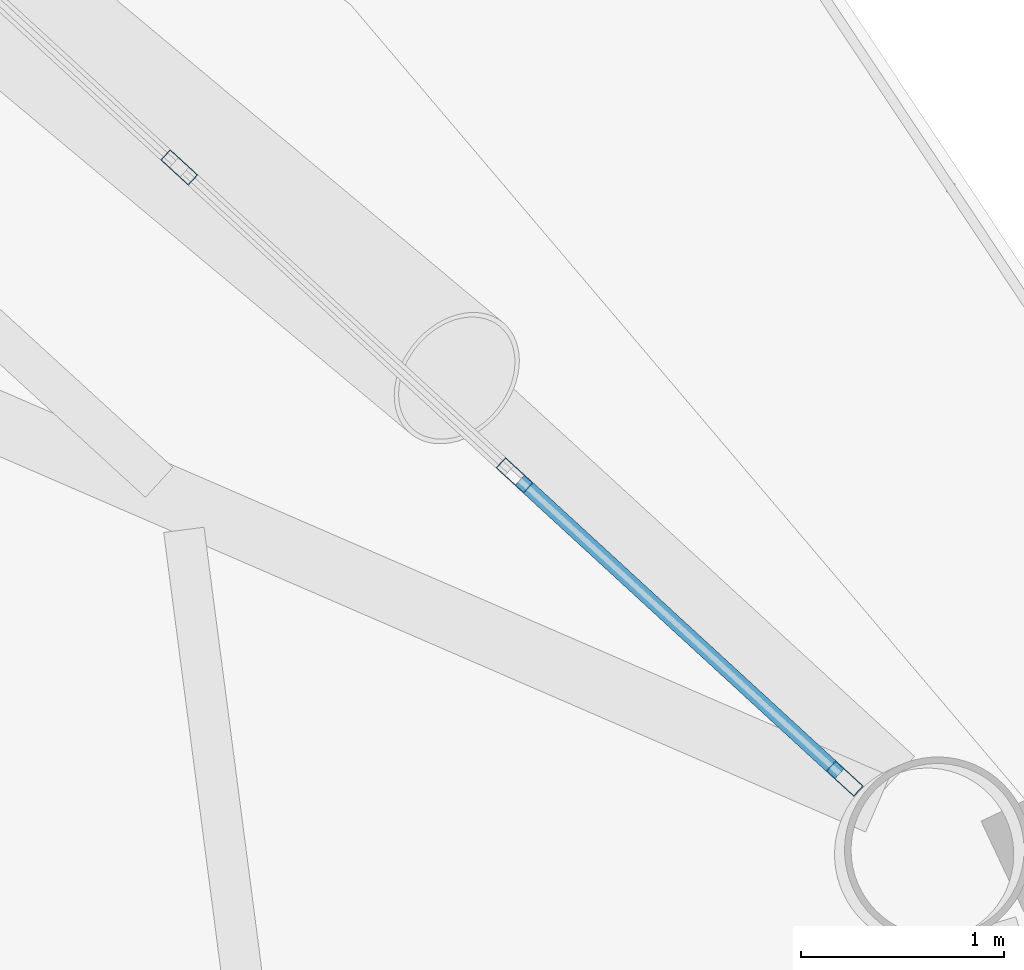
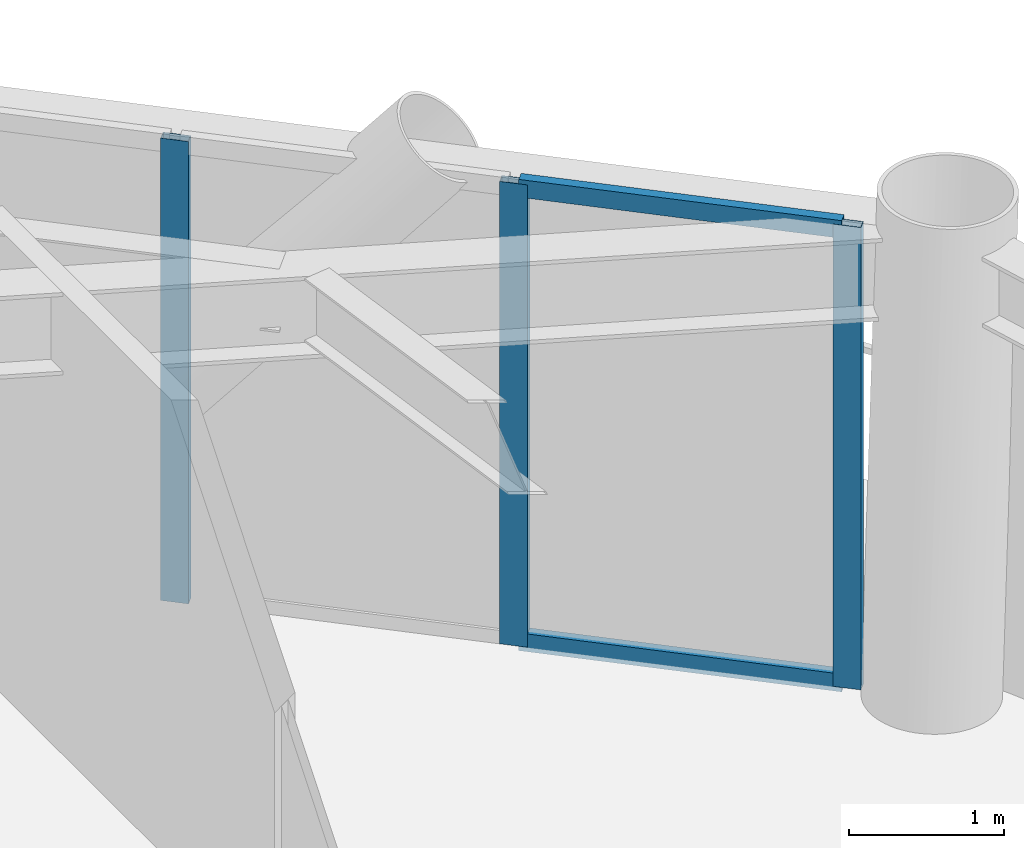
# One storey, part 15 of 23: 5 members, 1 element without a shape of its own.
"""IFC4 building model written with IfcOpenShell, lengths in metres."""

from ifc_helpers import new_model, si_unit, direction, frame, origin, origin_2d, place, context, subcontext, project, spatial, hollow_rectangle, extrude, material, layer, layer_set, material_profile, profile_set, type_object, element, aggregate, save


model = new_model("IFC4")

# Units and contexts
model_context = context("Model", 3, precision=1e-05, world=origin(), true_north=direction((0.0, 1.0)))
body_context = subcontext(model_context, "Body", "Model", "MODEL_VIEW")
ifc_project = project(units=[si_unit("LENGTHUNIT", "METRE"), si_unit("AREAUNIT", "SQUARE_METRE"), si_unit("VOLUMEUNIT", "CUBIC_METRE"), si_unit("PLANEANGLEUNIT", "RADIAN"), si_unit("MASSUNIT", "GRAM", prefix="KILO")], contexts=[model_context])

# Site, building, storey
site_placement = place(None, origin())
site = spatial("IfcSite", under=ifc_project, at=site_placement, CompositionType="ELEMENT")
building_placement = place(site_placement, origin())
building = spatial("IfcBuilding", under=site, at=building_placement, Name="Varnakorn Sky Granary", CompositionType="ELEMENT")
storey_placement = place(building_placement, frame((0.0, 0.0, 31.5)))
storey = spatial("IfcBuildingStorey", under=building, at=storey_placement, Name="L07", CompositionType="ELEMENT", Elevation=31.5)

# Curtain wall, members
ifc_material = material(Name="Anodised Bronze Aluminium Alloy 6063-T6", Category="aluminium")
ifc_layer = layer(ifc_material, 0.18994140625, Name="Anodised Bronze Aluminium Alloy 6063-T6")
ifc_layer_set = layer_set([ifc_layer], Name="Anodised Bronze Aluminium Alloy 6063-T6")
curtain_wall_type = type_object("IfcCurtainWallType", Name="CW-FRM-1", PredefinedType="USERDEFINED", material=ifc_layer_set)
curtain_wall_placement = place(storey_placement, origin())
curtain_wall = element("IfcCurtainWall", 1, at=curtain_wall_placement, inside=storey, type_object=curtain_wall_type, Name="Unitised Curtain Wall CW3 CW-L07-B02", ObjectType="CURTAIN WALL", PredefinedType="USERDEFINED")
ifc_material_profile_1 = material_profile(ifc_material, hollow_rectangle(XDim=0.070068359375, YDim=0.18505859375, WallThickness=0.00390625, at=origin_2d()), Name="ALU MULL 70x185")
ifc_profile_set_1 = profile_set([ifc_material_profile_1], Name="Anodised Bronze Aluminium Alloy 6063-T6")
member_type_1 = type_object("IfcMemberType", Name="CW-FRM-1-MULL", PredefinedType="MULLION", material=ifc_profile_set_1)
member_1_placement = place(storey_placement, frame((12.230712890625, 12.609130859375, 0.0), z_axis=(0.0, 0.0, 1.0), x_axis=(0.676386704621, 0.736546689499, 0.0)))
member_1 = element("IfcMember", 2, at=member_1_placement, type_object=member_type_1, Name="CW3 mullion 3", PredefinedType="MULLION", context=body_context, shape_type="SweptSolid", body=[
    extrude(hollow_rectangle(XDim=0.070068359375, YDim=0.18505859375, WallThickness=0.00390625, at=origin_2d()), origin(), (0.0, 0.0, 1.0), 3.639892578125),
])
member_2_placement = place(storey_placement, frame((13.879638671875, 11.0947265625, 0.0), z_axis=(0.0, 0.0, 1.0), x_axis=(0.676386704621, 0.736546689499, 0.0)))
member_2 = element("IfcMember", 3, at=member_2_placement, type_object=member_type_1, Name="CW3 mullion 4", PredefinedType="MULLION", context=body_context, shape_type="SweptSolid", body=[
    extrude(hollow_rectangle(XDim=0.070068359375, YDim=0.18505859375, WallThickness=0.00390625, at=origin_2d()), origin(), (0.0, 0.0, 1.0), 3.639892578125),
])
member_3_placement = place(storey_placement, frame((15.503173828125, 9.603759765625, 0.0), z_axis=(0.0, 0.0, 1.0), x_axis=(0.676386704621, 0.736546689499, 0.0)))
member_3 = element("IfcMember", 4, at=member_3_placement, type_object=member_type_1, Name="CW3 mullion 5", PredefinedType="MULLION", context=body_context, shape_type="SweptSolid", body=[
    extrude(hollow_rectangle(XDim=0.070068359375, YDim=0.18505859375, WallThickness=0.00390625, at=origin_2d()), origin(), (0.0, 0.0, 1.0), 3.639892578125),
])
ifc_material_profile_2 = material_profile(ifc_material, hollow_rectangle(XDim=0.070068359375, YDim=0.139892578125, WallThickness=0.00341796875, at=origin_2d()), Name="ALU TRAN 70x140")
ifc_profile_set_2 = profile_set([ifc_material_profile_2], Name="Anodised Bronze Aluminium Alloy 6063-T6")
member_type_2 = type_object("IfcMemberType", Name="CW-FRM-1-TRAN", PredefinedType="USERDEFINED", material=ifc_profile_set_2)
member_4_placement = place(storey_placement, frame((13.905517578125, 11.071044921875, 0.034912109375), z_axis=(0.736498483577, -0.676439194376, 0.0), x_axis=(0.676439194376, 0.736498483577, 0.0)))
member_4 = element("IfcMember", 5, at=member_4_placement, type_object=member_type_2, Name="CW3 transom 4.1", ObjectType="TRANSOM", PredefinedType="USERDEFINED", context=body_context, shape_type="SweptSolid", body=[
    extrude(hollow_rectangle(XDim=0.070068359375, YDim=0.139892578125, WallThickness=0.00341796875, at=origin_2d()), origin(), (0.0, 0.0, 1.0), 2.134033203125),
])
member_5_placement = place(storey_placement, frame((13.905517578125, 11.071044921875, 3.60498046875), z_axis=(0.736498483577, -0.676439194376, 0.0), x_axis=(0.676439194376, 0.736498483577, 0.0)))
member_5 = element("IfcMember", 6, at=member_5_placement, type_object=member_type_2, Name="CW3 transom 4.2", ObjectType="TRANSOM", PredefinedType="USERDEFINED", context=body_context, shape_type="SweptSolid", body=[
    extrude(hollow_rectangle(XDim=0.070068359375, YDim=0.139892578125, WallThickness=0.00341796875, at=origin_2d()), origin(), (0.0, 0.0, 1.0), 2.134033203125),
])
aggregate(curtain_wall, [member_1, member_2, member_3, member_4, member_5])

save(model, "model.ifc")
